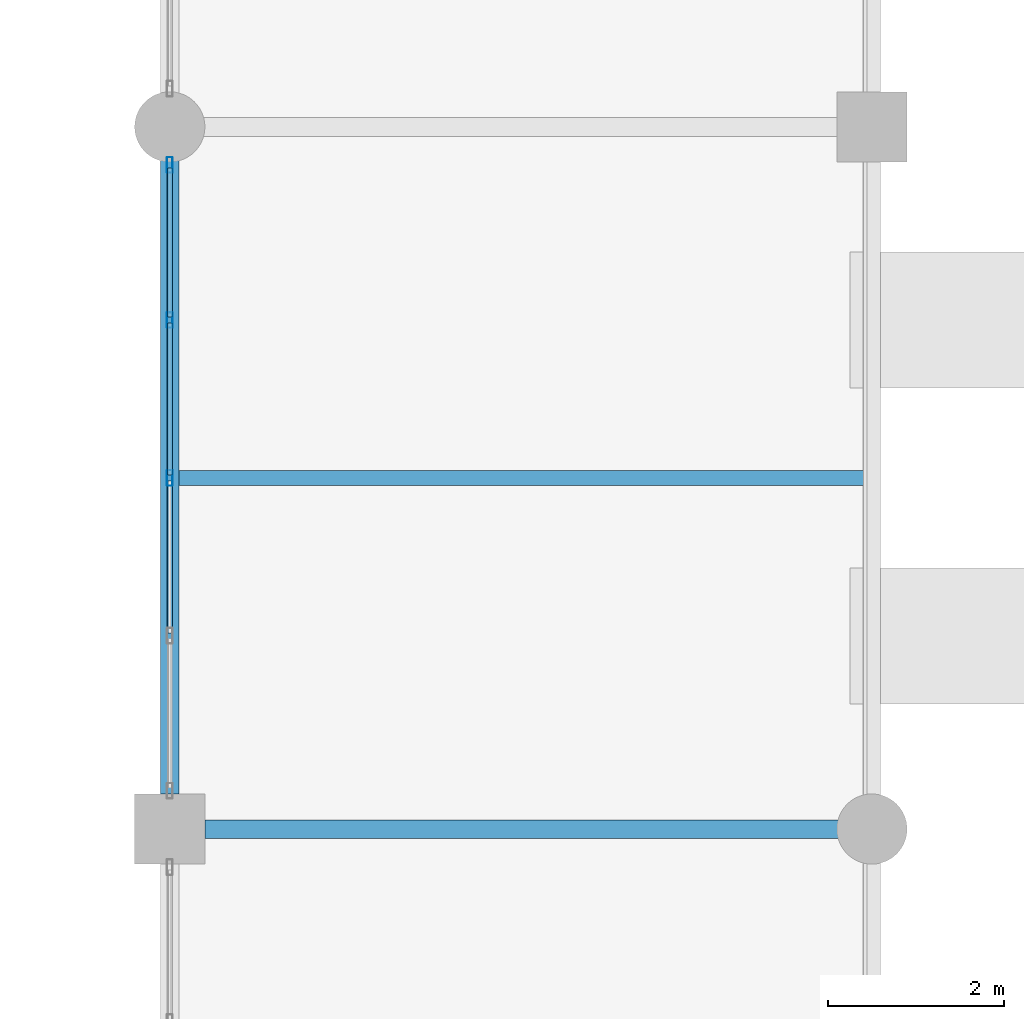
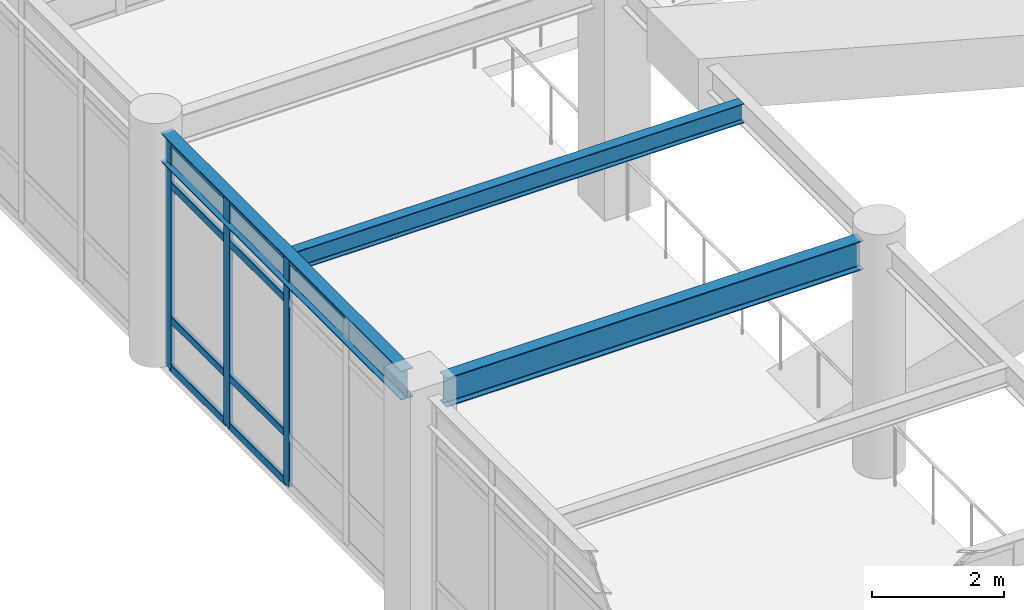
# One storey, part 22 of 111: 12 members, 3 beams, 1 element without a shape of its own.
"""IFC4 building model written with IfcOpenShell, lengths in metres."""

from ifc_helpers import new_model, si_unit, direction, frame, origin, origin_2d, place, context, subcontext, project, spatial, hollow_rectangle, i_section, extrude, material, material_profile, profile_set, type_object, element, aggregate, save


model = new_model("IFC4")

# Units and contexts
model_context = context("Model", 3, precision=1e-05, world=origin(), true_north=direction((0.0, 1.0)))
body_context = subcontext(model_context, "Body", "Model", "MODEL_VIEW")
ifc_project = project(units=[si_unit("LENGTHUNIT", "METRE"), si_unit("AREAUNIT", "SQUARE_METRE"), si_unit("VOLUMEUNIT", "CUBIC_METRE"), si_unit("PLANEANGLEUNIT", "RADIAN"), si_unit("MASSUNIT", "GRAM", prefix="KILO")], contexts=[model_context])

# Site, building, storey
site_placement = place(None, origin())
site = spatial("IfcSite", under=ifc_project, at=site_placement, CompositionType="ELEMENT")
building_placement = place(site_placement, origin())
building = spatial("IfcBuilding", under=site, at=building_placement, Name="Solmirada Galleria", CompositionType="ELEMENT")
storey_placement = place(building_placement, frame((0.0, 0.0, 10.39990234375)))
storey = spatial("IfcBuildingStorey", under=building, at=storey_placement, Name="L02", CompositionType="ELEMENT", Elevation=10.39990234375)

# Beams
ifc_material_1 = material(Name="Steel S355 / ASTM A992 Grade 50", Category="steel")
ifc_material_profile_1 = material_profile(ifc_material_1, i_section(OverallWidth=0.2099609375, OverallDepth=0.537109375, WebThickness=0.010986328125, FlangeThickness=0.017333984375, FilletRadius=0.014892578125, at=origin_2d()), Name="W21X68")
ifc_profile_set_1 = profile_set([ifc_material_profile_1], Name="Steel S355 / ASTM A992 Grade 50")
beam_type_1 = type_object("IfcBeamType", Name="BM-GIRD-W21B", PredefinedType="BEAM", material=ifc_profile_set_1)
for number, where, z_axis, x_axis, name in (
    (1, (80.39990234375, 56.0, 4.031494140625), (1.0, 0.0, 0.0), (0.0, 1.0, 0.0), "Primary beam L03 X(80..88, 56)"),
    (2, (80.0, 56.39990234375, 4.031494140625), (0.0, 1.0, 0.0), (-1.0, 0.0, 0.0), "Primary girder L03 Y(80, 56..64)"),
):
    element("IfcBeam", number, at=place(storey_placement, frame(where, z_axis=z_axis, x_axis=x_axis)), inside=storey, type_object=beam_type_1, Name=name, PredefinedType="BEAM", context=body_context, shape_type="SweptSolid", body=[
        extrude(i_section(OverallWidth=0.2099609375, OverallDepth=0.537109375, WebThickness=0.010986328125, FlangeThickness=0.017333984375, FilletRadius=0.014892578125, at=origin_2d()), origin(), (0.0, 0.0, 1.0), 7.26416015625),
    ])
ifc_material_profile_2 = material_profile(ifc_material_1, i_section(OverallWidth=0.172119140625, OverallDepth=0.35791015625, WebThickness=0.0078125, FlangeThickness=0.01318359375, FilletRadius=0.011962890625, at=origin_2d()), Name="W14X38")
ifc_profile_set_2 = profile_set([ifc_material_profile_2], Name="Steel S355 / ASTM A992 Grade 50")
beam_type_2 = type_object("IfcBeamType", Name="BM-JST-W14A", PredefinedType="JOIST", material=ifc_profile_set_2)
beam_placement = place(storey_placement, frame((80.10498046875, 60.0, 4.12109375), z_axis=(1.0, 0.0, 0.0), x_axis=(0.0, 1.0, 0.0)))
element("IfcBeam", 3, at=beam_placement, inside=storey, type_object=beam_type_2, Name="Composite floor joist L03 (80..88, 60.0)", PredefinedType="JOIST", context=body_context, shape_type="SweptSolid", body=[
    extrude(i_section(OverallWidth=0.172119140625, OverallDepth=0.35791015625, WebThickness=0.0078125, FlangeThickness=0.01318359375, FilletRadius=0.011962890625, at=origin_2d()), origin(), (0.0, 0.0, 1.0), 7.798095703125),
])

# Curtain wall, members
ifc_material_2 = material(Name="Impact-resistant low-E double glazing", Category="glass")
curtain_wall_type = type_object("IfcCurtainWallType", Name="CW-FZ3-L02-B4-L072", PredefinedType="NOTDEFINED", material=ifc_material_2)
curtain_wall_placement = place(storey_placement, origin())
curtain_wall = element("IfcCurtainWall", 4, at=curtain_wall_placement, inside=storey, type_object=curtain_wall_type, Name="Terrace and arcade storefront CW-L02-085", PredefinedType="NOTDEFINED")
ifc_material_3 = material(Name="Anodised aluminium framing", Category="aluminium")
ifc_material_profile_3 = material_profile(ifc_material_3, hollow_rectangle(XDim=0.06494140625, YDim=0.179931640625, WallThickness=0.00390625, InnerFilletRadius=0.00390625, OuterFilletRadius=0.008056640625, at=origin_2d()), Name="ALU-MULL-180X65")
ifc_profile_set_3 = profile_set([ifc_material_profile_3], Name="Anodised aluminium framing")
member_type_1 = type_object("IfcMemberType", Name="CW-MULL-180", PredefinedType="MULLION", material=ifc_profile_set_3)
member_1_placement = place(storey_placement, frame((80.0, 60.0, 0.0), z_axis=(0.0, 0.0, 1.0), x_axis=(-1.0, 0.0, 0.0)))
member_1 = element("IfcMember", 5, at=member_1_placement, type_object=member_type_1, Name="CW21 mullion 3", PredefinedType="MULLION", context=body_context, shape_type="SweptSolid", body=[
    extrude(hollow_rectangle(XDim=0.06494140625, YDim=0.179931640625, WallThickness=0.00390625, InnerFilletRadius=0.00390625, OuterFilletRadius=0.008056640625, at=origin_2d()), origin(), (0.0, 0.0, 1.0), 4.22021484375),
])
member_2_placement = place(storey_placement, frame((80.0, 61.799072265625, 0.0), z_axis=(0.0, 0.0, 1.0), x_axis=(-1.0, 0.0, 0.0)))
member_2 = element("IfcMember", 6, at=member_2_placement, type_object=member_type_1, Name="CW21 mullion 4", PredefinedType="MULLION", context=body_context, shape_type="SweptSolid", body=[
    extrude(hollow_rectangle(XDim=0.06494140625, YDim=0.179931640625, WallThickness=0.00390625, InnerFilletRadius=0.00390625, OuterFilletRadius=0.008056640625, at=origin_2d()), origin(), (0.0, 0.0, 1.0), 4.22021484375),
])
member_3_placement = place(storey_placement, frame((80.0, 63.5654296875, 0.0), z_axis=(0.0, 0.0, 1.0), x_axis=(-1.0, 0.0, 0.0)))
member_3 = element("IfcMember", 7, at=member_3_placement, type_object=member_type_1, Name="CW21 mullion 5", PredefinedType="MULLION", context=body_context, shape_type="SweptSolid", body=[
    extrude(hollow_rectangle(XDim=0.06494140625, YDim=0.179931640625, WallThickness=0.00390625, InnerFilletRadius=0.00390625, OuterFilletRadius=0.008056640625, at=origin_2d()), origin(), (0.0, 0.0, 1.0), 4.22021484375),
])
ifc_material_profile_4 = material_profile(ifc_material_3, hollow_rectangle(XDim=0.06494140625, YDim=0.139892578125, WallThickness=0.00341796875, InnerFilletRadius=0.00341796875, OuterFilletRadius=0.007080078125, at=origin_2d()), Name="ALU-TRAN-140X65")
ifc_profile_set_4 = profile_set([ifc_material_profile_4], Name="Anodised aluminium framing")
member_type_2 = type_object("IfcMemberType", Name="CW-TRAN-140", PredefinedType="USERDEFINED", material=ifc_profile_set_4)
member_4_placement = place(storey_placement, frame((80.0, 58.2333984375, 4.1875), z_axis=(0.0, 1.0, 0.0), x_axis=(-1.0, 0.0, 0.0)))
member_4 = element("IfcMember", 8, at=member_4_placement, type_object=member_type_2, Name="CW21 transom 2.4", ObjectType="TRANSOM", PredefinedType="USERDEFINED", context=body_context, shape_type="SweptSolid", body=[
    extrude(hollow_rectangle(XDim=0.06494140625, YDim=0.139892578125, WallThickness=0.00341796875, InnerFilletRadius=0.00341796875, OuterFilletRadius=0.007080078125, at=origin_2d()), origin(), (0.0, 0.0, 1.0), 1.734130859375),
])
member_5_placement = place(storey_placement, frame((80.0, 60.032470703125, 0.03271484375), z_axis=(0.0, 1.0, 0.0), x_axis=(-1.0, 0.0, 0.0)))
member_5 = element("IfcMember", 9, at=member_5_placement, type_object=member_type_2, Name="CW21 transom 3.1", ObjectType="TRANSOM", PredefinedType="USERDEFINED", context=body_context, shape_type="SweptSolid", body=[
    extrude(hollow_rectangle(XDim=0.06494140625, YDim=0.139892578125, WallThickness=0.00341796875, InnerFilletRadius=0.00341796875, OuterFilletRadius=0.007080078125, at=origin_2d()), origin(), (0.0, 0.0, 1.0), 1.734130859375),
])
member_6_placement = place(storey_placement, frame((80.0, 60.032470703125, 0.920166015625), z_axis=(0.0, 1.0, 0.0), x_axis=(-1.0, 0.0, 0.0)))
member_6 = element("IfcMember", 10, at=member_6_placement, type_object=member_type_2, Name="CW21 transom 3.2", ObjectType="TRANSOM", PredefinedType="USERDEFINED", context=body_context, shape_type="SweptSolid", body=[
    extrude(hollow_rectangle(XDim=0.06494140625, YDim=0.139892578125, WallThickness=0.00341796875, InnerFilletRadius=0.00341796875, OuterFilletRadius=0.007080078125, at=origin_2d()), origin(), (0.0, 0.0, 1.0), 1.734130859375),
])
member_7_placement = place(storey_placement, frame((80.0, 60.032470703125, 3.400146484375), z_axis=(0.0, 1.0, 0.0), x_axis=(-1.0, 0.0, 0.0)))
member_7 = element("IfcMember", 11, at=member_7_placement, type_object=member_type_2, Name="CW21 transom 3.3", ObjectType="TRANSOM", PredefinedType="USERDEFINED", context=body_context, shape_type="SweptSolid", body=[
    extrude(hollow_rectangle(XDim=0.06494140625, YDim=0.139892578125, WallThickness=0.00341796875, InnerFilletRadius=0.00341796875, OuterFilletRadius=0.007080078125, at=origin_2d()), origin(), (0.0, 0.0, 1.0), 1.734130859375),
])
member_8_placement = place(storey_placement, frame((80.0, 60.032470703125, 4.1875), z_axis=(0.0, 1.0, 0.0), x_axis=(-1.0, 0.0, 0.0)))
member_8 = element("IfcMember", 12, at=member_8_placement, type_object=member_type_2, Name="CW21 transom 3.4", ObjectType="TRANSOM", PredefinedType="USERDEFINED", context=body_context, shape_type="SweptSolid", body=[
    extrude(hollow_rectangle(XDim=0.06494140625, YDim=0.139892578125, WallThickness=0.00341796875, InnerFilletRadius=0.00341796875, OuterFilletRadius=0.007080078125, at=origin_2d()), origin(), (0.0, 0.0, 1.0), 1.734130859375),
])
member_9_placement = place(storey_placement, frame((80.0, 61.83154296875, 0.03271484375), z_axis=(0.0, 1.0, 0.0), x_axis=(-1.0, 0.0, 0.0)))
member_9 = element("IfcMember", 13, at=member_9_placement, type_object=member_type_2, Name="CW21 transom 4.1", ObjectType="TRANSOM", PredefinedType="USERDEFINED", context=body_context, shape_type="SweptSolid", body=[
    extrude(hollow_rectangle(XDim=0.06494140625, YDim=0.139892578125, WallThickness=0.00341796875, InnerFilletRadius=0.00341796875, OuterFilletRadius=0.007080078125, at=origin_2d()), origin(), (0.0, 0.0, 1.0), 1.701416015625),
])
member_10_placement = place(storey_placement, frame((80.0, 61.83154296875, 0.920166015625), z_axis=(0.0, 1.0, 0.0), x_axis=(-1.0, 0.0, 0.0)))
member_10 = element("IfcMember", 14, at=member_10_placement, type_object=member_type_2, Name="CW21 transom 4.2", ObjectType="TRANSOM", PredefinedType="USERDEFINED", context=body_context, shape_type="SweptSolid", body=[
    extrude(hollow_rectangle(XDim=0.06494140625, YDim=0.139892578125, WallThickness=0.00341796875, InnerFilletRadius=0.00341796875, OuterFilletRadius=0.007080078125, at=origin_2d()), origin(), (0.0, 0.0, 1.0), 1.701416015625),
])
member_11_placement = place(storey_placement, frame((80.0, 61.83154296875, 3.400146484375), z_axis=(0.0, 1.0, 0.0), x_axis=(-1.0, 0.0, 0.0)))
member_11 = element("IfcMember", 15, at=member_11_placement, type_object=member_type_2, Name="CW21 transom 4.3", ObjectType="TRANSOM", PredefinedType="USERDEFINED", context=body_context, shape_type="SweptSolid", body=[
    extrude(hollow_rectangle(XDim=0.06494140625, YDim=0.139892578125, WallThickness=0.00341796875, InnerFilletRadius=0.00341796875, OuterFilletRadius=0.007080078125, at=origin_2d()), origin(), (0.0, 0.0, 1.0), 1.701416015625),
])
member_12_placement = place(storey_placement, frame((80.0, 61.83154296875, 4.1875), z_axis=(0.0, 1.0, 0.0), x_axis=(-1.0, 0.0, 0.0)))
member_12 = element("IfcMember", 16, at=member_12_placement, type_object=member_type_2, Name="CW21 transom 4.4", ObjectType="TRANSOM", PredefinedType="USERDEFINED", context=body_context, shape_type="SweptSolid", body=[
    extrude(hollow_rectangle(XDim=0.06494140625, YDim=0.139892578125, WallThickness=0.00341796875, InnerFilletRadius=0.00341796875, OuterFilletRadius=0.007080078125, at=origin_2d()), origin(), (0.0, 0.0, 1.0), 1.701416015625),
])
aggregate(curtain_wall, [member_1, member_2, member_3, member_4, member_5, member_6, member_7, member_8, member_9, member_10, member_11, member_12])

save(model, "model.ifc")
